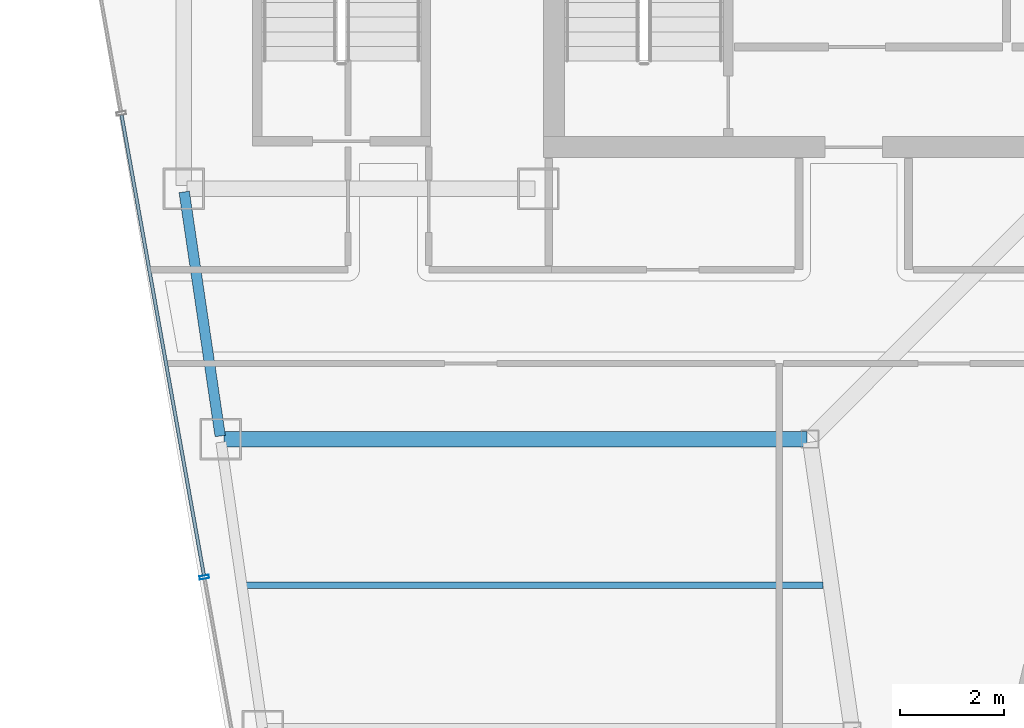
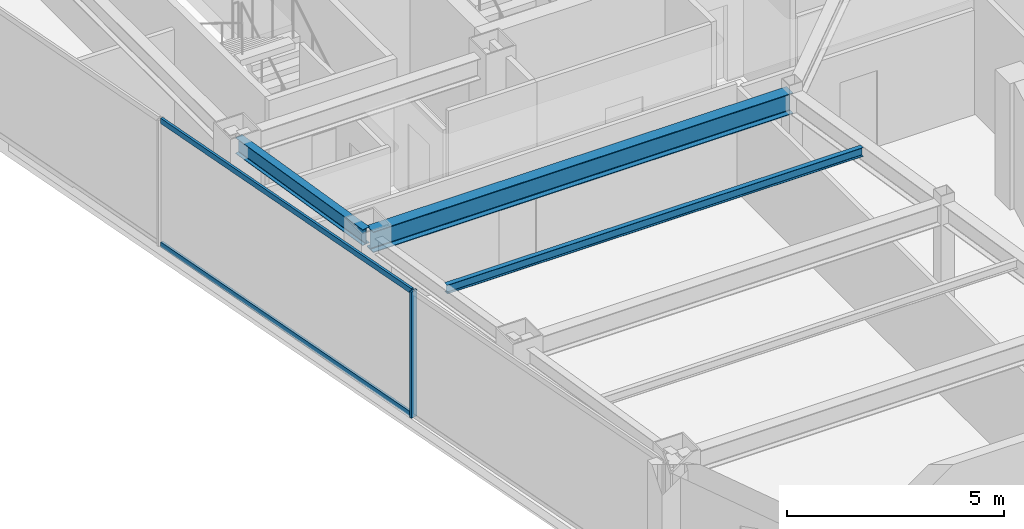
# One storey, part 5 of 28: 3 beams, 3 members, 1 element without a shape of its own.
"""IFC4 building model written with IfcOpenShell, lengths in metres."""

from ifc_helpers import new_model, si_unit, direction, frame, origin, origin_2d, place, context, subcontext, project, spatial, hollow_rectangle, i_section, extrude, material, material_profile, profile_set, type_object, element, aggregate, save


model = new_model("IFC4")

# Units and contexts
model_context = context("Model", 3, precision=1e-05, world=origin(), true_north=direction((0.0, 1.0)))
body_context = subcontext(model_context, "Body", "Model", "MODEL_VIEW")
ifc_project = project(units=[si_unit("LENGTHUNIT", "METRE"), si_unit("AREAUNIT", "SQUARE_METRE"), si_unit("VOLUMEUNIT", "CUBIC_METRE"), si_unit("PLANEANGLEUNIT", "RADIAN"), si_unit("MASSUNIT", "GRAM", prefix="KILO")], contexts=[model_context])

# Site, building, storey
site_placement = place(None, origin())
site = spatial("IfcSite", under=ifc_project, at=site_placement, CompositionType="ELEMENT")
building_placement = place(site_placement, origin())
building = spatial("IfcBuilding", under=site, at=building_placement, Name="Saevonmaru Cultural Tower", CompositionType="ELEMENT")
storey_placement = place(building_placement, frame((0.0, 0.0, 253.39990234375)))
storey = spatial("IfcBuildingStorey", under=building, at=storey_placement, Name="L59", CompositionType="ELEMENT", Elevation=253.39990234375)

# Beams
ifc_material_1 = material(Name="Steel SM355", Category="steel")
ifc_material_profile_1 = material_profile(ifc_material_1, i_section(OverallWidth=0.300048828125, OverallDepth=0.587890625, WebThickness=0.011962890625, FlangeThickness=0.02001953125, FilletRadius=0.02392578125, at=origin_2d()), Name="H-588x300x12x20")
ifc_profile_set_1 = profile_set([ifc_material_profile_1], Name="Steel SM355")
beam_type_1 = type_object("IfcBeamType", Name="BM-G-H588", PredefinedType="BEAM", material=ifc_profile_set_1)
beam_1_placement = place(storey_placement, frame((7.568115234375, 37.60009765625, 3.256103515625), z_axis=(1.0, 0.0, 0.0), x_axis=(0.0, 1.0, 0.0)))
element("IfcBeam", 1, at=beam_1_placement, inside=storey, type_object=beam_type_1, Name="L59 West Wing Transverse Girder 3", PredefinedType="BEAM", context=body_context, shape_type="SweptSolid", body=[
    extrude(i_section(OverallWidth=0.300048828125, OverallDepth=0.587890625, WebThickness=0.011962890625, FlangeThickness=0.02001953125, FilletRadius=0.02392578125, at=origin_2d()), origin(), (0.0, 0.0, 1.0), 11.179931640625),
])
ifc_material_profile_2 = material_profile(ifc_material_1, i_section(OverallWidth=0.125, OverallDepth=0.25, WebThickness=0.006103515625, FlangeThickness=0.009033203125, FilletRadius=0.008056640625, at=origin_2d()), Name="H-250x125x6x9")
ifc_profile_set_2 = profile_set([ifc_material_profile_2], Name="Steel SM355")
beam_type_2 = type_object("IfcBeamType", Name="BM-J-H250", PredefinedType="JOIST", material=ifc_profile_set_2)
beam_2_placement = place(storey_placement, frame((7.972412109375, 34.800048828125, 3.425048828125), z_axis=(1.0, 0.0, 0.0), x_axis=(0.0, 1.0, 0.0)))
element("IfcBeam", 2, at=beam_2_placement, inside=storey, type_object=beam_type_2, Name="L59 West Wing Floor Joist 2", PredefinedType="JOIST", context=body_context, shape_type="SweptSolid", body=[
    extrude(i_section(OverallWidth=0.125, OverallDepth=0.25, WebThickness=0.006103515625, FlangeThickness=0.009033203125, FilletRadius=0.008056640625, at=origin_2d()), origin(), (0.0, 0.0, 1.0), 11.08203125),
])
ifc_material_profile_3 = material_profile(ifc_material_1, i_section(OverallWidth=0.199951171875, OverallDepth=0.449951171875, WebThickness=0.009033203125, FlangeThickness=0.013916015625, FilletRadius=0.01806640625, at=origin_2d()), Name="H-450x200x9x14")
ifc_profile_set_3 = profile_set([ifc_material_profile_3], Name="Steel SM355")
beam_type_3 = type_object("IfcBeamType", Name="BM-SP-H450", PredefinedType="SPANDREL", material=ifc_profile_set_3)
beam_3_placement = place(storey_placement, frame((7.499267578125, 37.659423828125, 3.3251953125), z_axis=(-0.145912860028, 0.989297446312, 0.0), x_axis=(-0.989297446312, -0.145912860028, 0.0)))
element("IfcBeam", 3, at=beam_3_placement, inside=storey, type_object=beam_type_3, Name="L59 West Splayed Spandrel 3", PredefinedType="SPANDREL", context=body_context, shape_type="SweptSolid", body=[
    extrude(i_section(OverallWidth=0.199951171875, OverallDepth=0.449951171875, WebThickness=0.009033203125, FlangeThickness=0.013916015625, FilletRadius=0.01806640625, at=origin_2d()), origin(), (0.0, 0.0, 1.0), 4.731689453125),
])

# Curtain wall, members
ifc_material_2 = material(Name="Satin Bronze Anodised Aluminium", Category="aluminium")
curtain_wall_type = type_object("IfcCurtainWallType", Name="CW-TYP-B", PredefinedType="NOTDEFINED", material=ifc_material_2)
curtain_wall_placement = place(storey_placement, origin())
curtain_wall = element("IfcCurtainWall", 4, at=curtain_wall_placement, inside=storey, type_object=curtain_wall_type, Name="L59 Unitised Curtain Wall E12", PredefinedType="NOTDEFINED")
ifc_material_profile_4 = material_profile(ifc_material_2, hollow_rectangle(XDim=0.06494140625, YDim=0.179931640625, WallThickness=0.00390625, at=origin_2d()), Name="ALU-MULL-180x65x4")
ifc_profile_set_4 = profile_set([ifc_material_profile_4], Name="Satin Bronze Anodised Aluminium")
member_type_1 = type_object("IfcMemberType", Name="ML-CW-180x65", PredefinedType="MULLION", material=ifc_profile_set_4)
member_1_placement = place(storey_placement, frame((7.193603515625, 34.953125, 0.0), z_axis=(0.0, 0.0, 1.0), x_axis=(0.176140740755, -0.984364993001, 0.0)))
member_1 = element("IfcMember", 5, at=member_1_placement, type_object=member_type_1, Name="CW-TW-L59-E12 mullion 3", PredefinedType="MULLION", context=body_context, shape_type="SweptSolid", body=[
    extrude(hollow_rectangle(XDim=0.06494140625, YDim=0.179931640625, WallThickness=0.00390625, at=origin_2d()), origin(), (0.0, 0.0, 1.0), 3.550048828125),
])
ifc_material_profile_5 = material_profile(ifc_material_2, hollow_rectangle(XDim=0.06494140625, YDim=0.14990234375, WallThickness=0.00390625, at=origin_2d()), Name="ALU-TRAN-150x65x4")
ifc_profile_set_5 = profile_set([ifc_material_profile_5], Name="Satin Bronze Anodised Aluminium")
member_type_2 = type_object("IfcMemberType", Name="TR-CW-150x65", PredefinedType="USERDEFINED", material=ifc_profile_set_5)
member_2_placement = place(storey_placement, frame((5.60791015625, 43.81494140625, 0.03271484375), z_axis=(0.176123157264, -0.984368139202, 0.0), x_axis=(0.984368139202, 0.176123157264, 0.0)))
member_2 = element("IfcMember", 6, at=member_2_placement, type_object=member_type_2, Name="CW-TW-L59-E12 transom 2.1", ObjectType="TRANSOM", PredefinedType="USERDEFINED", context=body_context, shape_type="SweptSolid", body=[
    extrude(hollow_rectangle(XDim=0.06494140625, YDim=0.14990234375, WallThickness=0.00390625, at=origin_2d()), origin(), (0.0, 0.0, 1.0), 8.969970703125),
])
member_3_placement = place(storey_placement, frame((5.60791015625, 43.81494140625, 3.517578125), z_axis=(0.176123157264, -0.984368139202, 0.0), x_axis=(0.984368139202, 0.176123157264, 0.0)))
member_3 = element("IfcMember", 7, at=member_3_placement, type_object=member_type_2, Name="CW-TW-L59-E12 transom 2.2", ObjectType="TRANSOM", PredefinedType="USERDEFINED", context=body_context, shape_type="SweptSolid", body=[
    extrude(hollow_rectangle(XDim=0.06494140625, YDim=0.14990234375, WallThickness=0.00390625, at=origin_2d()), origin(), (0.0, 0.0, 1.0), 8.969970703125),
])
aggregate(curtain_wall, [member_1, member_2, member_3])

save(model, "model.ifc")
